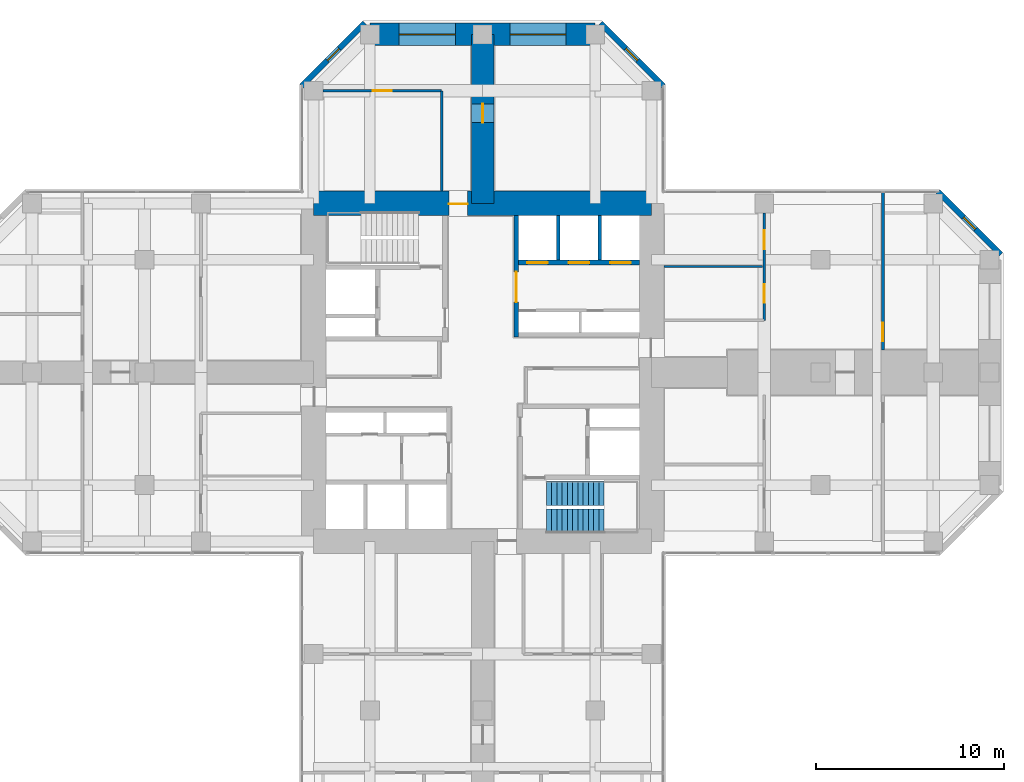
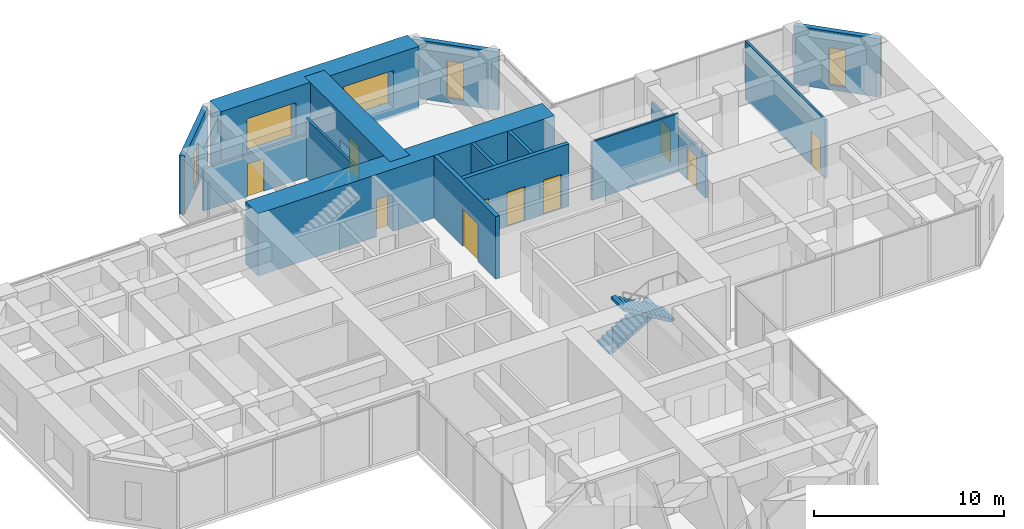
# One storey, part 11 of 13: 15 walls, 10 doors, 5 windows, 2 stair flights, 15 openings, 1 element without a shape of its own.
"""IFC4 building model written with IfcOpenShell, lengths in metres."""

import ifcopenshell
import ifcopenshell.guid

model = None  # the IFC model being written
_history = None  # IfcOwnerHistory: only IFC2X3 demands one
_inside = {}  # id of a spatial element -> (the spatial element, [elements in it])
_under = {}  # id of a project, library or spatial element -> (it, [spatial elements below it])
_declared = {}  # id of a project -> (the project, [libraries it declares])
_typed = {}  # id of a type object -> (the type object, [elements of that type])
_made_of = {}  # id of a material, layer set ... -> (it, [elements and type objects made of it])


def new_model(schema):
    """Start an empty IFC model of exactly this schema.

    Asked for "IFC4X3", IfcOpenShell would pick the latest addendum, in which some entities
    have other attributes; the version numbers below select the first issue.
    IFC2X3 requires an IfcOwnerHistory on every rooted entity: one is made here for all.
    """
    global model, _history
    if schema == "IFC4X3":
        model = ifcopenshell.file(schema_version=(4, 3, 0, 0))
    else:
        model = ifcopenshell.file(schema=schema)
    _inside.clear()
    _under.clear()
    _declared.clear()
    _typed.clear()
    _made_of.clear()
    _history = None
    if model.schema == "IFC2X3":
        org = make("IfcOrganization", Name="unknown")
        user = make(
            "IfcPersonAndOrganization",
            ThePerson=make("IfcPerson", FamilyName="unknown"),
            TheOrganization=org,
        )
        app = make(
            "IfcApplication",
            ApplicationDeveloper=org,
            Version="unknown",
            ApplicationFullName="unknown",
            ApplicationIdentifier="unknown",
        )
        _history = make(
            "IfcOwnerHistory",
            OwningUser=user,
            OwningApplication=app,
            ChangeAction="ADDED",
            CreationDate=0,
        )
    return model


def make(cls, **values):
    """One entity of the class cls with the attributes given. An attribute that is None is left unset."""
    return model.create_entity(
        cls, **{name: value for name, value in values.items() if value is not None}
    )


def rooted(cls, **values):
    """An entity with a GlobalId (a new one), such as an element, a storey or a relation."""
    return make(cls, GlobalId=ifcopenshell.guid.new(), OwnerHistory=_history, **values)


def si_unit(unit_type, name, prefix=None):
    """IfcSIUnit, for example si_unit("LENGTHUNIT", "METRE", prefix="MILLI")."""
    return make("IfcSIUnit", UnitType=unit_type, Prefix=prefix, Name=name)


def assignment(units):
    """IfcUnitAssignment: the units of a project."""
    return None if units is None else make("IfcUnitAssignment", Units=units)


def point(xyz):
    """IfcCartesianPoint."""
    return None if xyz is None else make("IfcCartesianPoint", Coordinates=xyz)


def direction(xyz):
    """IfcDirection."""
    return None if xyz is None else make("IfcDirection", DirectionRatios=xyz)


def frame(location, z_axis=None, x_axis=None):
    """IfcAxis2Placement3D, a coordinate frame: its origin and axes. An axis left out is left unset."""
    return make(
        "IfcAxis2Placement3D",
        Location=point(location),
        Axis=direction(z_axis),
        RefDirection=direction(x_axis),
    )


def frame_2d(location, x_axis=None):
    """IfcAxis2Placement2D, a coordinate frame in the plane: its origin and x axis."""
    return make(
        "IfcAxis2Placement2D", Location=point(location), RefDirection=direction(x_axis)
    )


def origin():
    """The frame at (0, 0, 0) with its axes left unset."""
    return frame((0.0, 0.0, 0.0))


def place(relative_to, where):
    """IfcLocalPlacement: puts the frame where relative to a parent placement (None: the world)."""
    return make(
        "IfcLocalPlacement", PlacementRelTo=relative_to, RelativePlacement=where
    )


def context(
    kind, dimensions, precision=None, world=None, true_north=None, identifier=None
):
    """IfcGeometricRepresentationContext, for example the 3D "Model" context."""
    return make(
        "IfcGeometricRepresentationContext",
        ContextIdentifier=identifier,
        ContextType=kind,
        CoordinateSpaceDimension=dimensions,
        Precision=precision,
        WorldCoordinateSystem=world,
        TrueNorth=true_north,
    )


def subcontext(parent, identifier, kind, view, scale=None):
    """IfcGeometricRepresentationSubContext, for example "Body" below "Model"."""
    return make(
        "IfcGeometricRepresentationSubContext",
        ContextIdentifier=identifier,
        ContextType=kind,
        ParentContext=parent,
        TargetScale=scale,
        TargetView=view,
    )


def project(units=None, contexts=None):
    """IfcProject with its units and contexts."""
    return rooted(
        "IfcProject",
        Name="project",
        RepresentationContexts=contexts,
        UnitsInContext=assignment(units),
    )


def spatial(cls, under=None, at=None, **own):
    """A site, building, storey or space (cls), placed at a placement, below another one or the project."""
    s = rooted(cls, ObjectPlacement=at, **own)
    if under is not None:
        _under.setdefault(under.id(), (under, []))[1].append(s)
    return s


def polyline(points):
    """IfcPolyline through the points."""
    return make("IfcPolyline", Points=[point(p) for p in points])


def profile(cls, at=None, kind="AREA", **sizes):
    """A parametric profile (cls). Its sizes go by their IFC names, for example OverallWidth=200.0."""
    return make(cls, ProfileType=kind, Position=at, **sizes)


def rectangle(**sizes):
    """IfcRectangleProfileDef."""
    return profile("IfcRectangleProfileDef", **sizes)


def hollow_rectangle(**sizes):
    """IfcRectangleHollowProfileDef."""
    return profile("IfcRectangleHollowProfileDef", **sizes)


def outline(outer, holes=None, kind="AREA"):
    """IfcArbitraryClosedProfileDef: a profile drawn as a closed curve; with holes, ...WithVoids."""
    if holes is None:
        return make("IfcArbitraryClosedProfileDef", ProfileType=kind, OuterCurve=outer)
    return make(
        "IfcArbitraryProfileDefWithVoids",
        ProfileType=kind,
        OuterCurve=outer,
        InnerCurves=holes,
    )


def extrude(swept, where, along, depth):
    """IfcExtrudedAreaSolid: the profile swept, set in the frame where, extruded along a direction by depth."""
    return make(
        "IfcExtrudedAreaSolid",
        SweptArea=swept,
        Position=where,
        ExtrudedDirection=direction(along),
        Depth=depth,
    )


def shape(context_of_items, identifier, shape_type, items):
    """IfcShapeRepresentation: the items that make up one representation, for example the "Body"."""
    return make(
        "IfcShapeRepresentation",
        ContextOfItems=context_of_items,
        RepresentationIdentifier=identifier,
        RepresentationType=shape_type,
        Items=items,
    )


def material(Name=None, Category=None):
    """IfcMaterial."""
    return make("IfcMaterial", Name=Name, Category=Category)


def layer(
    of_material, thickness, ventilated=None, Name=None, Category=None, Priority=None
):
    """IfcMaterialLayer: one layer of a wall or slab, of a material (None: an air gap)."""
    return make(
        "IfcMaterialLayer",
        Material=of_material,
        LayerThickness=thickness,
        IsVentilated=ventilated,
        Name=Name,
        Category=Category,
        Priority=Priority,
    )


def layer_set(layers, Name=None):
    """IfcMaterialLayerSet."""
    return make("IfcMaterialLayerSet", MaterialLayers=layers, LayerSetName=Name)


def constituent(of_material, Name=None, Category=None, fraction=None):
    """IfcMaterialConstituent: one of the materials an element consists of."""
    return make(
        "IfcMaterialConstituent",
        Name=Name,
        Material=of_material,
        Fraction=fraction,
        Category=Category,
    )


def constituent_set(constituents=None, Name=None):
    """IfcMaterialConstituentSet."""
    return make(
        "IfcMaterialConstituentSet", Name=Name, MaterialConstituents=constituents
    )


def made_of(thing, what):
    """Note that an element or type object is made of a material, layer set ...; save() writes the relation."""
    if what is not None:
        _made_of.setdefault(what.id(), (what, []))[1].append(thing)
    return thing


def type_object(cls, material=None, **own):
    """A type object (cls), such as IfcWallType, which elements share."""
    return made_of(rooted(cls, **own), material)


def element(
    cls,
    number,
    at=None,
    inside=None,
    cuts=None,
    type_object=None,
    material=None,
    context=None,
    identifier="Body",
    shape_type=None,
    held_by="IfcProductDefinitionShape",
    body=None,
    shapes=None,
    **own,
):
    """One element of the class cls, such as IfcWall. Its Tag is "e" and its number.

    at: its placement. inside: the storey or other place that contains it. cuts: it is an
    opening in that element (IfcRelVoidsElement). A single representation is given by context,
    identifier, shape_type and body (its items); several are given by shapes. held_by: the class
    of the entity that holds the representations. save() writes the other relations.
    """
    e = rooted(cls, Tag="e%d" % number, ObjectPlacement=at, **own)
    if body is not None:
        shapes = [shape(context, identifier, shape_type, body)]
    if shapes is not None:
        e.Representation = make(held_by, Representations=shapes)
    if inside is not None:
        _inside.setdefault(inside.id(), (inside, []))[1].append(e)
    if cuts is not None:
        rooted(
            "IfcRelVoidsElement", RelatingBuildingElement=cuts, RelatedOpeningElement=e
        )
    if type_object is not None:
        _typed.setdefault(type_object.id(), (type_object, []))[1].append(e)
    return made_of(e, material)


def fill(opening, filler):
    """IfcRelFillsElement: the door or window that sits in an opening."""
    return rooted(
        "IfcRelFillsElement",
        RelatingOpeningElement=opening,
        RelatedBuildingElement=filler,
    )


def aggregate(whole, parts):
    """IfcRelAggregates: a whole, such as a stair, and the parts it consists of."""
    return rooted("IfcRelAggregates", RelatingObject=whole, RelatedObjects=parts)


def save(model, path):
    """Write the relations noted so far, then the file.

    IfcRelAggregates (storeys below a building ...), IfcRelContainedInSpatialStructure (elements
    in a storey), IfcRelDefinesByType, IfcRelAssociatesMaterial and IfcRelDeclares: one each for
    every whole, place, type object, material and project.
    """
    for whole, parts in _under.values():
        aggregate(whole, parts)
    for where, things in _inside.values():
        rooted(
            "IfcRelContainedInSpatialStructure",
            RelatedElements=things,
            RelatingStructure=where,
        )
    for kind, things in _typed.values():
        rooted("IfcRelDefinesByType", RelatedObjects=things, RelatingType=kind)
    for what, things in _made_of.values():
        rooted("IfcRelAssociatesMaterial", RelatedObjects=things, RelatingMaterial=what)
    for by, libraries in _declared.values():
        rooted("IfcRelDeclares", RelatingContext=by, RelatedDefinitions=libraries)
    model.write(path)


model = new_model("IFC4")

# Units and contexts
model_context = context("Model", 3, precision=1e-05, world=origin(), true_north=direction((0.0, 1.0)))
body_context = subcontext(model_context, "Body", "Model", "MODEL_VIEW")
ifc_project = project(units=[si_unit("LENGTHUNIT", "METRE"), si_unit("AREAUNIT", "SQUARE_METRE"), si_unit("VOLUMEUNIT", "CUBIC_METRE"), si_unit("PLANEANGLEUNIT", "RADIAN"), si_unit("MASSUNIT", "GRAM", prefix="KILO")], contexts=[model_context])

# Site, building, storey
site_placement = place(None, origin())
site = spatial("IfcSite", under=ifc_project, at=site_placement, CompositionType="ELEMENT")
building_placement = place(site_placement, origin())
building = spatial("IfcBuilding", under=site, at=building_placement, Name="Torre Cruceta", CompositionType="ELEMENT")
storey_placement = place(building_placement, frame((0.0, 0.0, 160.5)))
storey = spatial("IfcBuildingStorey", under=building, at=storey_placement, Name="L39", CompositionType="ELEMENT", Elevation=160.5)

# Wall, opening, door
ifc_material_1 = material(Name="Concrete G60 (fck 60 MPa)", Category="concrete")
ifc_layer_1 = layer(ifc_material_1, 0.25)
ifc_layer_set_1 = layer_set([ifc_layer_1], Name="Concrete G60 (fck 60 MPa)")
wall_type_1 = type_object("IfcWallType", Name="CORE INNER WALL 250 G60", PredefinedType="SHEAR", material=ifc_layer_set_1)
wall_1_placement = place(storey_placement, frame((1.800048828125, 1.875, 0.0), z_axis=(0.0, 0.0, 1.0), x_axis=(0.0, 1.0, 0.0)))
wall_1 = element("IfcWall", 1, at=wall_1_placement, inside=storey, type_object=wall_type_1, Name="CW4 L39 NE-CU", PredefinedType="SHEAR", context=body_context, shape_type="SweptSolid", body=[
    extrude(rectangle(XDim=6.47509765625, YDim=0.25, at=frame_2d((3.237548828125, 0.0))), origin(), (0.0, 0.0, 1.0), 4.0),
])
opening_1_placement = place(wall_1_placement, frame((1.875, 0.0, 0.0)))
opening_1 = element("IfcOpeningElement", 2, at=opening_1_placement, cuts=wall_1, Name="Opening D8", PredefinedType="OPENING", context=body_context, shape_type="SweptSolid", body=[
    extrude(rectangle(XDim=1.60009765625, YDim=2.39990234375, at=frame_2d((0.800048828125, 1.199951171875))), frame((0.0, 0.135009765625, 0.0), z_axis=(0.0, -1.0, 0.0), x_axis=(1.0, 0.0, 0.0)), (0.0, 0.0, 1.0), 0.27001953125),
])
ifc_material_2 = material(Name="Steel DX51D", Category="steel")
ifc_constituent_1 = constituent(ifc_material_2, Name="Leaf and frame")
ifc_material_3 = material(Name="Polyester powder coating", Category="paint")
ifc_constituent_2 = constituent(ifc_material_3, Name="Finish")
ifc_material_4 = material(Name="Fire-resisting glass", Category="glass")
ifc_constituent_3 = constituent(ifc_material_4, Name="Vision panel")
ifc_constituent_set_1 = constituent_set(constituents=[ifc_constituent_1, ifc_constituent_2, ifc_constituent_3], Name="Steel fire door with vision panels")
door_type_1 = type_object("IfcDoorType", Name="LIFT LOBBY DOUBLE DOOR 1600X2400", OperationType="DOUBLE_DOOR_DOUBLE_SWING", PredefinedType="DOOR", material=ifc_constituent_set_1)
door_1_placement = place(opening_1_placement, origin())
door_1 = element("IfcDoor", 3, at=door_1_placement, inside=storey, type_object=door_type_1, Name="D8 L39 NE-LOBBY", OperationType="DOUBLE_DOOR_DOUBLE_SWING", OverallHeight=2.39990234375, OverallWidth=1.60009765625, PredefinedType="DOOR", context=body_context, shape_type="SweptSolid", body=[
    extrude(rectangle(XDim=1.60009765625, YDim=2.39990234375, at=frame_2d((0.800048828125, 1.199951171875))), frame((0.0, 0.02490234375, 0.0), z_axis=(0.0, -1.0, 0.0), x_axis=(1.0, 0.0, 0.0)), (0.0, 0.0, 1.0), 0.050048828125),
])
fill(opening_1, door_1)

# Wall, openings, doors
wall_2_placement = place(storey_placement, frame((1.925048828125, 5.85009765625, 0.0), z_axis=(0.0, 0.0, 1.0), x_axis=(1.0, 0.0, 0.0)))
wall_2 = element("IfcWall", 4, at=wall_2_placement, inside=storey, type_object=wall_type_1, Name="CW4 L39 NE-LV", PredefinedType="SHEAR", context=body_context, shape_type="SweptSolid", body=[
    extrude(rectangle(XDim=6.425048828125, YDim=0.25, at=frame_2d((3.21240234375, 0.0))), origin(), (0.0, 0.0, 1.0), 4.0),
])
opening_2_placement = place(wall_2_placement, frame((0.4541015625, 0.0, 0.0)))
opening_2 = element("IfcOpeningElement", 5, at=opening_2_placement, cuts=wall_2, Name="Opening LD1", PredefinedType="OPENING", context=body_context, shape_type="SweptSolid", body=[
    extrude(rectangle(XDim=1.10009765625, YDim=2.199951171875, at=frame_2d((0.550048828125, 1.10009765625))), frame((0.0, 0.135009765625, 0.0), z_axis=(0.0, -1.0, 0.0), x_axis=(1.0, 0.0, 0.0)), (0.0, 0.0, 1.0), 0.27001953125),
])
opening_3_placement = place(wall_2_placement, frame((2.66259765625, 0.0, 0.0)))
opening_3 = element("IfcOpeningElement", 6, at=opening_3_placement, cuts=wall_2, Name="Opening LD1", PredefinedType="OPENING", context=body_context, shape_type="SweptSolid", body=[
    extrude(rectangle(XDim=1.10009765625, YDim=2.199951171875, at=frame_2d((0.550048828125, 1.10009765625))), frame((0.0, 0.135009765625, 0.0), z_axis=(0.0, -1.0, 0.0), x_axis=(1.0, 0.0, 0.0)), (0.0, 0.0, 1.0), 0.27001953125),
])
opening_4_placement = place(wall_2_placement, frame((4.870849609375, 0.0, 0.0)))
opening_4 = element("IfcOpeningElement", 7, at=opening_4_placement, cuts=wall_2, Name="Opening LD1", PredefinedType="OPENING", context=body_context, shape_type="SweptSolid", body=[
    extrude(rectangle(XDim=1.10009765625, YDim=2.199951171875, at=frame_2d((0.550048828125, 1.10009765625))), frame((0.0, 0.135009765625, 0.0), z_axis=(0.0, -1.0, 0.0), x_axis=(1.0, 0.0, 0.0)), (0.0, 0.0, 1.0), 0.27001953125),
])
ifc_material_5 = material(Name="Stainless steel 1.4401", Category="steel")
door_type_2 = type_object("IfcDoorType", Name="LIFT LANDING DOOR 1100X2200", OperationType="DOUBLE_DOOR_SLIDING", PredefinedType="DOOR", material=ifc_material_5)
door_2_placement = place(opening_2_placement, origin())
door_2 = element("IfcDoor", 8, at=door_2_placement, inside=storey, type_object=door_type_2, Name="Lift landing door P1", OperationType="DOUBLE_DOOR_SLIDING", OverallHeight=2.199951171875, OverallWidth=1.10009765625, PredefinedType="DOOR", context=body_context, shape_type="SweptSolid", body=[
    extrude(rectangle(XDim=1.10009765625, YDim=2.199951171875, at=frame_2d((0.550048828125, 1.10009765625))), frame((0.0, 0.02490234375, 0.0), z_axis=(0.0, -1.0, 0.0), x_axis=(1.0, 0.0, 0.0)), (0.0, 0.0, 1.0), 0.050048828125),
])
fill(opening_2, door_2)
door_3_placement = place(opening_3_placement, origin())
door_3 = element("IfcDoor", 9, at=door_3_placement, inside=storey, type_object=door_type_2, Name="Lift landing door P2", OperationType="DOUBLE_DOOR_SLIDING", OverallHeight=2.199951171875, OverallWidth=1.10009765625, PredefinedType="DOOR", context=body_context, shape_type="SweptSolid", body=[
    extrude(rectangle(XDim=1.10009765625, YDim=2.199951171875, at=frame_2d((0.550048828125, 1.10009765625))), frame((0.0, 0.02490234375, 0.0), z_axis=(0.0, -1.0, 0.0), x_axis=(1.0, 0.0, 0.0)), (0.0, 0.0, 1.0), 0.050048828125),
])
fill(opening_3, door_3)
door_4_placement = place(opening_4_placement, origin())
door_4 = element("IfcDoor", 10, at=door_4_placement, inside=storey, type_object=door_type_2, Name="Lift landing door P3", OperationType="DOUBLE_DOOR_SLIDING", OverallHeight=2.199951171875, OverallWidth=1.10009765625, PredefinedType="DOOR", context=body_context, shape_type="SweptSolid", body=[
    extrude(rectangle(XDim=1.10009765625, YDim=2.199951171875, at=frame_2d((0.550048828125, 1.10009765625))), frame((0.0, 0.02490234375, 0.0), z_axis=(0.0, -1.0, 0.0), x_axis=(1.0, 0.0, 0.0)), (0.0, 0.0, 1.0), 0.050048828125),
])
fill(opening_4, door_4)

# Wall, opening, door
ifc_material_6 = material(Name="Concrete G60 (fck 60 MPa)", Category="concrete")
ifc_layer_2 = layer(ifc_material_6, 1.300048828125)
ifc_layer_set_2 = layer_set([ifc_layer_2], Name="Concrete G60 (fck 60 MPa)")
wall_type_2 = type_object("IfcWallType", Name="CORE WALL 1300 G60", PredefinedType="SHEAR", material=ifc_layer_set_2)
wall_3_placement = place(storey_placement, frame((9.0, 9.0, 0.0), z_axis=(0.0, 0.0, 1.0), x_axis=(-1.0, 0.0, 0.0)))
wall_3 = element("IfcWall", 11, at=wall_3_placement, inside=storey, type_object=wall_type_2, Name="CW1 L39 CW-N", PredefinedType="SHEAR", context=body_context, shape_type="SweptSolid", body=[
    extrude(rectangle(XDim=18.0, YDim=1.300048828125, at=frame_2d((9.0, 0.0))), origin(), (0.0, 0.0, 1.0), 4.0),
])
opening_5_placement = place(wall_3_placement, frame((9.800048828125, 0.0, 0.0)))
opening_5 = element("IfcOpeningElement", 12, at=opening_5_placement, cuts=wall_3, Name="Opening D4", PredefinedType="OPENING", context=body_context, shape_type="SweptSolid", body=[
    extrude(rectangle(XDim=1.0, YDim=2.39990234375, at=frame_2d((0.5, 1.199951171875))), frame((0.0, 0.659912109375, 0.0), z_axis=(0.0, -1.0, 0.0), x_axis=(1.0, 0.0, 0.0)), (0.0, 0.0, 1.0), 1.320068359375),
])
ifc_material_7 = material(Name="Steel DX51D", Category="steel")
ifc_constituent_4 = constituent(ifc_material_7, Name="Leaf and frame")
ifc_material_8 = material(Name="Polyester powder coating", Category="paint")
ifc_constituent_5 = constituent(ifc_material_8, Name="Finish")
ifc_constituent_set_2 = constituent_set(constituents=[ifc_constituent_4, ifc_constituent_5], Name="Steel fire door")
door_type_3 = type_object("IfcDoorType", Name="CORE ARM DOOR 1000X2400", OperationType="SINGLE_SWING_RIGHT", PredefinedType="DOOR", material=ifc_constituent_set_2)
door_5_placement = place(opening_5_placement, frame((1.0, 0.0, 0.0), z_axis=(0.0, 0.0, 1.0), x_axis=(-1.0, 0.0, 0.0)))
door_5 = element("IfcDoor", 13, at=door_5_placement, inside=storey, type_object=door_type_3, Name="D4 L39 CW-N", OperationType="SINGLE_SWING_RIGHT", OverallHeight=2.39990234375, OverallWidth=1.0, PredefinedType="DOOR", context=body_context, shape_type="SweptSolid", body=[
    extrude(rectangle(XDim=1.0, YDim=2.39990234375, at=frame_2d((0.5, 1.199951171875))), frame((0.0, -0.005126953125, 0.0), z_axis=(0.0, -1.0, 0.0), x_axis=(1.0, 0.0, 0.0)), (0.0, 0.0, 1.0), 0.050048828125),
])
fill(opening_5, door_5)

# Wall, opening, window
ifc_material_9 = material(Name="Concrete G30 (fck 30 MPa)", Category="concrete")
ifc_layer_3 = layer(ifc_material_9, 0.300048828125)
ifc_layer_set_3 = layer_set([ifc_layer_3], Name="Concrete G30 (fck 30 MPa)")
wall_type_3 = type_object("IfcWallType", Name="EXPOSED CONCRETE FACADE WALL 300", PredefinedType="SOLIDWALL", material=ifc_layer_set_3)
wall_4_placement = place(storey_placement, frame((27.60009765625, 6.27685546875, 0.0), z_axis=(0.0, 0.0, 1.0), x_axis=(-0.707106781187, 0.707106781187, 0.0)))
wall_4 = element("IfcWall", 14, at=wall_4_placement, inside=storey, type_object=wall_type_3, Name="EW1 facade wall L39 E chamfer 03", PredefinedType="SOLIDWALL", context=body_context, shape_type="SweptSolid", body=[
    extrude(rectangle(XDim=4.72802734375, YDim=0.300048828125, at=frame_2d((2.364013671875, 0.0))), origin(), (0.0, 0.0, 1.0), 3.75),
])
opening_6_placement = place(wall_4_placement, frame((1.9140625, 0.0, 0.300048828125)))
opening_6 = element("IfcOpeningElement", 15, at=opening_6_placement, cuts=wall_4, Name="Opening WN5", PredefinedType="OPENING", context=body_context, shape_type="SweptSolid", body=[
    extrude(rectangle(XDim=0.89990234375, YDim=2.39990234375, at=frame_2d((0.449951171875, 1.199951171875))), frame((0.0, 0.159912109375, 0.0), z_axis=(0.0, -1.0, 0.0), x_axis=(1.0, 0.0, 0.0)), (0.0, 0.0, 1.0), 0.320068359375),
])
ifc_material_10 = material(Name="Aluminium window frame", Category="aluminium")
ifc_constituent_6 = constituent(ifc_material_10, Name="Frame")
ifc_material_11 = material(Name="Laminated insulating glass unit, low-iron clear", Category="glass")
ifc_constituent_7 = constituent(ifc_material_11, Name="Glazing")
ifc_constituent_set_3 = constituent_set(constituents=[ifc_constituent_6, ifc_constituent_7], Name="Aluminium window")
window_type_1 = type_object("IfcWindowType", Name="CHAMFER SLOT WINDOW 900X2400", PartitioningType="SINGLE_PANEL", PredefinedType="WINDOW", material=ifc_constituent_set_3)
window_1_placement = place(opening_6_placement, origin())
window_1 = element("IfcWindow", 16, at=window_1_placement, inside=storey, type_object=window_type_1, Name="WN5 L39 E 1", OverallHeight=2.39990234375, OverallWidth=0.89990234375, PartitioningType="SINGLE_PANEL", PredefinedType="WINDOW", context=body_context, shape_type="SweptSolid", body=[
    extrude(hollow_rectangle(XDim=0.89990234375, YDim=2.39990234375, WallThickness=0.06005859375, at=frame_2d((0.449951171875, 1.199951171875))), frame((0.0, 0.030029296875, 0.0), z_axis=(0.0, -1.0, 0.0), x_axis=(1.0, 0.0, 0.0)), (0.0, 0.0, 1.0), 0.06005859375),
    extrude(rectangle(XDim=0.77880859375, YDim=2.27880859375, at=frame_2d((0.449951171875, 1.199951171875))), frame((0.0, 0.030029296875, 0.0), z_axis=(0.0, -1.0, 0.0), x_axis=(1.0, 0.0, 0.0)), (0.0, 0.0, 1.0), 0.06005859375),
])
fill(opening_6, window_1)

wall_5_placement = place(storey_placement, frame((9.6201171875, 15.2568359375, 0.0), z_axis=(0.0, 0.0, 1.0), x_axis=(-0.707106781187, 0.707106781187, 0.0)))
wall_5 = element("IfcWall", 17, at=wall_5_placement, inside=storey, type_object=wall_type_3, Name="EW1 facade wall L39 N chamfer 06", PredefinedType="SOLIDWALL", context=body_context, shape_type="SweptSolid", body=[
    extrude(rectangle(XDim=4.72802734375, YDim=0.300048828125, at=frame_2d((2.364013671875, 0.0))), origin(), (0.0, 0.0, 1.0), 3.75),
])
opening_7_placement = place(wall_5_placement, frame((1.9140625, 0.0, 0.300048828125)))
opening_7 = element("IfcOpeningElement", 18, at=opening_7_placement, cuts=wall_5, Name="Opening WN5", PredefinedType="OPENING", context=body_context, shape_type="SweptSolid", body=[
    extrude(rectangle(XDim=0.89990234375, YDim=2.39990234375, at=frame_2d((0.449951171875, 1.199951171875))), frame((0.0, 0.159912109375, 0.0), z_axis=(0.0, -1.0, 0.0), x_axis=(1.0, 0.0, 0.0)), (0.0, 0.0, 1.0), 0.320068359375),
])
window_2_placement = place(opening_7_placement, origin())
window_2 = element("IfcWindow", 19, at=window_2_placement, inside=storey, type_object=window_type_1, Name="WN5 L39 N 1", OverallHeight=2.39990234375, OverallWidth=0.89990234375, PartitioningType="SINGLE_PANEL", PredefinedType="WINDOW", context=body_context, shape_type="SweptSolid", body=[
    extrude(hollow_rectangle(XDim=0.89990234375, YDim=2.39990234375, WallThickness=0.06005859375, at=frame_2d((0.449951171875, 1.199951171875))), frame((0.0, 0.030029296875, 0.0), z_axis=(0.0, -1.0, 0.0), x_axis=(1.0, 0.0, 0.0)), (0.0, 0.0, 1.0), 0.06005859375),
    extrude(rectangle(XDim=0.77880859375, YDim=2.27880859375, at=frame_2d((0.449951171875, 1.199951171875))), frame((0.0, 0.030029296875, 0.0), z_axis=(0.0, -1.0, 0.0), x_axis=(1.0, 0.0, 0.0)), (0.0, 0.0, 1.0), 0.06005859375),
])
fill(opening_7, window_2)

wall_6_placement = place(storey_placement, frame((-6.27685546875, 18.60009765625, 0.0), z_axis=(0.0, 0.0, 1.0), x_axis=(-0.707106781187, -0.707106781187, 0.0)))
wall_6 = element("IfcWall", 20, at=wall_6_placement, inside=storey, type_object=wall_type_3, Name="EW1 facade wall L39 N chamfer 08", PredefinedType="SOLIDWALL", context=body_context, shape_type="SweptSolid", body=[
    extrude(rectangle(XDim=4.72802734375, YDim=0.300048828125, at=frame_2d((2.364013671875, 0.0))), origin(), (0.0, 0.0, 1.0), 3.75),
])
opening_8_placement = place(wall_6_placement, frame((1.9140625, 0.0, 0.300048828125)))
opening_8 = element("IfcOpeningElement", 21, at=opening_8_placement, cuts=wall_6, Name="Opening WN5", PredefinedType="OPENING", context=body_context, shape_type="SweptSolid", body=[
    extrude(rectangle(XDim=0.89990234375, YDim=2.39990234375, at=frame_2d((0.449951171875, 1.199951171875))), frame((0.0, 0.159912109375, 0.0), z_axis=(0.0, -1.0, 0.0), x_axis=(1.0, 0.0, 0.0)), (0.0, 0.0, 1.0), 0.320068359375),
])
window_3_placement = place(opening_8_placement, origin())
window_3 = element("IfcWindow", 22, at=window_3_placement, inside=storey, type_object=window_type_1, Name="WN5 L39 N 1", OverallHeight=2.39990234375, OverallWidth=0.89990234375, PartitioningType="SINGLE_PANEL", PredefinedType="WINDOW", context=body_context, shape_type="SweptSolid", body=[
    extrude(hollow_rectangle(XDim=0.89990234375, YDim=2.39990234375, WallThickness=0.06005859375, at=frame_2d((0.449951171875, 1.199951171875))), frame((0.0, 0.030029296875, 0.0), z_axis=(0.0, -1.0, 0.0), x_axis=(1.0, 0.0, 0.0)), (0.0, 0.0, 1.0), 0.06005859375),
    extrude(rectangle(XDim=0.77880859375, YDim=2.27880859375, at=frame_2d((0.449951171875, 1.199951171875))), frame((0.0, 0.030029296875, 0.0), z_axis=(0.0, -1.0, 0.0), x_axis=(1.0, 0.0, 0.0)), (0.0, 0.0, 1.0), 0.06005859375),
])
fill(opening_8, window_3)

# Walls
ifc_material_12 = material(Name="Concrete G35 (fck 35 MPa)", Category="concrete")
ifc_layer_4 = layer(ifc_material_12, 0.199951171875)
ifc_layer_set_4 = layer_set([ifc_layer_4], Name="Concrete G35 (fck 35 MPa)")
wall_type_4 = type_object("IfcWallType", Name="LIFT SHAFT WALL 200", PredefinedType="PARTITIONING", material=ifc_layer_set_4)
for number, where, z_axis, x_axis, name in (
    (23, (4.033447265625, 5.97509765625, 0.0), (0.0, 0.0, 1.0), (0.0, 1.0, 0.0), "SW1 L39 NE-LS1"),
    (24, (6.24169921875, 5.97509765625, 0.0), (0.0, 0.0, 1.0), (0.0, 1.0, 0.0), "SW1 L39 NE-LS2"),
):
    element("IfcWall", number, at=place(storey_placement, frame(where, z_axis=z_axis, x_axis=x_axis)), inside=storey, type_object=wall_type_4, Name=name, PredefinedType="PARTITIONING", context=body_context, shape_type="SweptSolid", body=[
        extrude(rectangle(XDim=2.375, YDim=0.199951171875, at=frame_2d((1.1875, 0.0))), origin(), (0.0, 0.0, 1.0), 4.0),
    ])

# Wall, openings, windows
ifc_material_13 = material(Name="Concrete G60 (fck 60 MPa)", Category="concrete")
ifc_layer_5 = layer(ifc_material_13, 1.199951171875)
ifc_layer_set_5 = layer_set([ifc_layer_5], Name="Concrete G60 (fck 60 MPa)")
wall_type_5 = type_object("IfcWallType", Name="NOSE WALL 1200 G60", PredefinedType="SHEAR", material=ifc_layer_set_5)
wall_7_placement = place(storey_placement, frame((6.0, 18.0, 0.0), z_axis=(0.0, 0.0, 1.0), x_axis=(-1.0, 0.0, 0.0)))
wall_7 = element("IfcWall", 25, at=wall_7_placement, inside=storey, type_object=wall_type_5, Name="NW1 nose wall L39 N", PredefinedType="SHEAR", context=body_context, shape_type="SweptSolid", body=[
    extrude(rectangle(XDim=12.0, YDim=1.199951171875, at=frame_2d((6.0, 0.0))), origin(), (0.0, 0.0, 1.0), 4.0),
])
opening_9_placement = place(wall_7_placement, frame((1.550048828125, 0.0, 0.60009765625)))
opening_9 = element("IfcOpeningElement", 26, at=opening_9_placement, cuts=wall_7, Name="Opening WN6", PredefinedType="OPENING", context=body_context, shape_type="SweptSolid", body=[
    extrude(rectangle(XDim=3.0, YDim=2.39990234375, at=frame_2d((1.5, 1.199951171875))), frame((0.0, 0.60986328125, 0.0), z_axis=(0.0, -1.0, 0.0), x_axis=(1.0, 0.0, 0.0)), (0.0, 0.0, 1.0), 1.219970703125),
])
opening_10_placement = place(wall_7_placement, frame((7.449951171875, 0.0, 0.60009765625)))
opening_10 = element("IfcOpeningElement", 27, at=opening_10_placement, cuts=wall_7, Name="Opening WN6", PredefinedType="OPENING", context=body_context, shape_type="SweptSolid", body=[
    extrude(rectangle(XDim=3.0, YDim=2.39990234375, at=frame_2d((1.5, 1.199951171875))), frame((0.0, 0.60986328125, 0.0), z_axis=(0.0, -1.0, 0.0), x_axis=(1.0, 0.0, 0.0)), (0.0, 0.0, 1.0), 1.219970703125),
])
ifc_material_14 = material(Name="Aluminium window frame", Category="aluminium")
ifc_constituent_8 = constituent(ifc_material_14, Name="Frame")
ifc_material_15 = material(Name="Laminated insulating glass unit, low-iron clear", Category="glass")
ifc_constituent_9 = constituent(ifc_material_15, Name="Glazing")
ifc_constituent_set_4 = constituent_set(constituents=[ifc_constituent_8, ifc_constituent_9], Name="Aluminium window")
window_type_2 = type_object("IfcWindowType", Name="NOSE WALL WINDOW 3000X2400", PartitioningType="SINGLE_PANEL", PredefinedType="WINDOW", material=ifc_constituent_set_4)
window_4_placement = place(opening_9_placement, origin())
window_4 = element("IfcWindow", 28, at=window_4_placement, inside=storey, type_object=window_type_2, Name="WN6 L39 N 1", OverallHeight=2.39990234375, OverallWidth=3.0, PartitioningType="SINGLE_PANEL", PredefinedType="WINDOW", context=body_context, shape_type="SweptSolid", body=[
    extrude(hollow_rectangle(XDim=3.0, YDim=2.39990234375, WallThickness=0.06005859375, at=frame_2d((1.5, 1.199951171875))), frame((0.0, 0.030029296875, 0.0), z_axis=(0.0, -1.0, 0.0), x_axis=(1.0, 0.0, 0.0)), (0.0, 0.0, 1.0), 0.06005859375),
    extrude(rectangle(XDim=2.87890625, YDim=2.27880859375, at=frame_2d((1.5, 1.199951171875))), frame((0.0, 0.030029296875, 0.0), z_axis=(0.0, -1.0, 0.0), x_axis=(1.0, 0.0, 0.0)), (0.0, 0.0, 1.0), 0.06005859375),
])
fill(opening_9, window_4)
window_5_placement = place(opening_10_placement, origin())
window_5 = element("IfcWindow", 29, at=window_5_placement, inside=storey, type_object=window_type_2, Name="WN6 L39 N 2", OverallHeight=2.39990234375, OverallWidth=3.0, PartitioningType="SINGLE_PANEL", PredefinedType="WINDOW", context=body_context, shape_type="SweptSolid", body=[
    extrude(hollow_rectangle(XDim=3.0, YDim=2.39990234375, WallThickness=0.06005859375, at=frame_2d((1.5, 1.199951171875))), frame((0.0, 0.030029296875, 0.0), z_axis=(0.0, -1.0, 0.0), x_axis=(1.0, 0.0, 0.0)), (0.0, 0.0, 1.0), 0.06005859375),
    extrude(rectangle(XDim=2.87890625, YDim=2.27880859375, at=frame_2d((1.5, 1.199951171875))), frame((0.0, 0.030029296875, 0.0), z_axis=(0.0, -1.0, 0.0), x_axis=(1.0, 0.0, 0.0)), (0.0, 0.0, 1.0), 0.06005859375),
])
fill(opening_10, window_5)

# Wall, opening, door
ifc_material_16 = material(Name="Plasterboard on steel studs", Category="steel")
ifc_layer_6 = layer(ifc_material_16, 0.14990234375)
ifc_layer_set_6 = layer_set([ifc_layer_6], Name="Plasterboard on steel studs")
wall_type_6 = type_object("IfcWallType", Name="PARTITION 150", PredefinedType="PARTITIONING", material=ifc_layer_set_6)
wall_8_placement = place(storey_placement, frame((-2.175048828125, 15.0, 0.0), z_axis=(0.0, 0.0, 1.0), x_axis=(-1.0, 0.0, 0.0)))
wall_8 = element("IfcWall", 30, at=wall_8_placement, inside=storey, type_object=wall_type_6, Name="PT1 L39-N-BFL", PredefinedType="PARTITIONING", context=body_context, shape_type="SweptSolid", body=[
    extrude(rectangle(XDim=6.324951171875, YDim=0.14990234375, at=frame_2d((3.16259765625, 0.0))), origin(), (0.0, 0.0, 1.0), 2.699951171875),
])
opening_11_placement = place(wall_8_placement, frame((2.66259765625, 0.0, 0.0)))
opening_11 = element("IfcOpeningElement", 31, at=opening_11_placement, cuts=wall_8, Name="Opening D3", PredefinedType="OPENING", context=body_context, shape_type="SweptSolid", body=[
    extrude(rectangle(XDim=1.0, YDim=2.10009765625, at=frame_2d((0.5, 1.050048828125))), frame((0.0, 0.0849609375, 0.0), z_axis=(0.0, -1.0, 0.0), x_axis=(1.0, 0.0, 0.0)), (0.0, 0.0, 1.0), 0.169921875),
])
ifc_material_17 = material(Name="Steel DX51D", Category="steel")
ifc_constituent_10 = constituent(ifc_material_17, Name="Leaf and frame")
ifc_material_18 = material(Name="Polyester powder coating", Category="paint")
ifc_constituent_11 = constituent(ifc_material_18, Name="Finish")
ifc_constituent_set_5 = constituent_set(constituents=[ifc_constituent_10, ifc_constituent_11], Name="Steel fire door")
door_type_4 = type_object("IfcDoorType", Name="FIRE DOOR 1000X2100", OperationType="SINGLE_SWING_LEFT", PredefinedType="DOOR", material=ifc_constituent_set_5)
door_6_placement = place(opening_11_placement, frame((1.0, 0.0, 0.0), z_axis=(0.0, 0.0, 1.0), x_axis=(-1.0, 0.0, 0.0)))
door_6 = element("IfcDoor", 32, at=door_6_placement, inside=storey, type_object=door_type_4, Name="D3 L39-N-BFL-D1", OperationType="SINGLE_SWING_LEFT", OverallHeight=2.10009765625, OverallWidth=1.0, PredefinedType="DOOR", context=body_context, shape_type="SweptSolid", body=[
    extrude(rectangle(XDim=1.0, YDim=2.10009765625, at=frame_2d((0.5, 1.050048828125))), frame((0.0, 0.025146484375, 0.0), z_axis=(0.0, -1.0, 0.0), x_axis=(1.0, 0.0, 0.0)), (0.0, 0.0, 1.0), 0.050048828125),
])
fill(opening_11, door_6)

# Wall
wall_9_placement = place(storey_placement, frame((-2.175048828125, 9.64990234375, 0.0), z_axis=(0.0, 0.0, 1.0), x_axis=(0.0, 1.0, 0.0)))
element("IfcWall", 33, at=wall_9_placement, inside=storey, type_object=wall_type_6, Name="PT1 L39-N-BSL", PredefinedType="PARTITIONING", context=body_context, shape_type="SweptSolid", body=[
    extrude(rectangle(XDim=5.35009765625, YDim=0.14990234375, at=frame_2d((2.675048828125, 0.0))), origin(), (0.0, 0.0, 1.0), 3.75),
])

# Wall, openings, doors
wall_10_placement = place(storey_placement, frame((15.0, 2.77490234375, 0.0), z_axis=(0.0, 0.0, 1.0), x_axis=(0.0, 1.0, 0.0)))
wall_10 = element("IfcWall", 34, at=wall_10_placement, inside=storey, type_object=wall_type_6, Name="PT1 L39-E-BFL", PredefinedType="PARTITIONING", context=body_context, shape_type="SweptSolid", body=[
    extrude(rectangle(XDim=5.72509765625, YDim=0.14990234375, at=frame_2d((2.862548828125, 0.0))), origin(), (0.0, 0.0, 1.0), 2.699951171875),
])
opening_12_placement = place(wall_10_placement, frame((0.931396484375, 0.0, 0.0)))
opening_12 = element("IfcOpeningElement", 35, at=opening_12_placement, cuts=wall_10, Name="Opening D3", PredefinedType="OPENING", context=body_context, shape_type="SweptSolid", body=[
    extrude(rectangle(XDim=1.0, YDim=2.10009765625, at=frame_2d((0.5, 1.050048828125))), frame((0.0, 0.0849609375, 0.0), z_axis=(0.0, -1.0, 0.0), x_axis=(1.0, 0.0, 0.0)), (0.0, 0.0, 1.0), 0.169921875),
])
opening_13_placement = place(wall_10_placement, frame((3.793701171875, 0.0, 0.0)))
opening_13 = element("IfcOpeningElement", 36, at=opening_13_placement, cuts=wall_10, Name="Opening D3", PredefinedType="OPENING", context=body_context, shape_type="SweptSolid", body=[
    extrude(rectangle(XDim=1.0, YDim=2.10009765625, at=frame_2d((0.5, 1.050048828125))), frame((0.0, 0.0849609375, 0.0), z_axis=(0.0, -1.0, 0.0), x_axis=(1.0, 0.0, 0.0)), (0.0, 0.0, 1.0), 0.169921875),
])
door_7_placement = place(opening_12_placement, origin())
door_7 = element("IfcDoor", 37, at=door_7_placement, inside=storey, type_object=door_type_4, Name="D3 L39-E-BFL-D1", OperationType="SINGLE_SWING_LEFT", OverallHeight=2.10009765625, OverallWidth=1.0, PredefinedType="DOOR", context=body_context, shape_type="SweptSolid", body=[
    extrude(rectangle(XDim=1.0, YDim=2.10009765625, at=frame_2d((0.5, 1.050048828125))), frame((0.0, 0.02490234375, 0.0), z_axis=(0.0, -1.0, 0.0), x_axis=(1.0, 0.0, 0.0)), (0.0, 0.0, 1.0), 0.050048828125),
])
fill(opening_12, door_7)
door_8_placement = place(opening_13_placement, origin())
door_8 = element("IfcDoor", 38, at=door_8_placement, inside=storey, type_object=door_type_4, Name="D3 L39-E-BFL-D2", OperationType="SINGLE_SWING_LEFT", OverallHeight=2.10009765625, OverallWidth=1.0, PredefinedType="DOOR", context=body_context, shape_type="SweptSolid", body=[
    extrude(rectangle(XDim=1.0, YDim=2.10009765625, at=frame_2d((0.5, 1.050048828125))), frame((0.0, 0.02490234375, 0.0), z_axis=(0.0, -1.0, 0.0), x_axis=(1.0, 0.0, 0.0)), (0.0, 0.0, 1.0), 0.050048828125),
])
fill(opening_13, door_8)

# Wall, opening, door
wall_11_placement = place(storey_placement, frame((21.320068359375, 1.199951171875, 0.0), z_axis=(0.0, 0.0, 1.0), x_axis=(0.0, 1.0, 0.0)))
wall_11 = element("IfcWall", 39, at=wall_11_placement, inside=storey, type_object=wall_type_6, Name="PT1 L39-E-TWL", PredefinedType="PARTITIONING", context=body_context, shape_type="SweptSolid", body=[
    extrude(rectangle(XDim=8.380126953125, YDim=0.14990234375, at=frame_2d((4.18994140625, 0.0))), origin(), (0.0, 0.0, 1.0), 3.75),
])
opening_14_placement = place(wall_11_placement, frame((0.449951171875, 0.0, 0.0)))
opening_14 = element("IfcOpeningElement", 40, at=opening_14_placement, cuts=wall_11, Name="Opening D14", PredefinedType="OPENING", context=body_context, shape_type="SweptSolid", body=[
    extrude(rectangle(XDim=1.0, YDim=2.199951171875, at=frame_2d((0.5, 1.10009765625))), frame((0.0, 0.0849609375, 0.0), z_axis=(0.0, -1.0, 0.0), x_axis=(1.0, 0.0, 0.0)), (0.0, 0.0, 1.0), 0.169921875),
])
ifc_material_19 = material(Name="Steel DX51D", Category="steel")
ifc_constituent_12 = constituent(ifc_material_19, Name="Leaf and frame")
ifc_material_20 = material(Name="Polyester powder coating", Category="paint")
ifc_constituent_13 = constituent(ifc_material_20, Name="Finish")
ifc_material_21 = material(Name="Fire-resisting glass", Category="glass")
ifc_constituent_14 = constituent(ifc_material_21, Name="Vision panel")
ifc_constituent_set_6 = constituent_set(constituents=[ifc_constituent_12, ifc_constituent_13, ifc_constituent_14], Name="Steel fire door with vision panel")
door_type_5 = type_object("IfcDoorType", Name="FIRE DOOR VISION PANEL 1000X2200", OperationType="SINGLE_SWING_RIGHT", PredefinedType="DOOR", material=ifc_constituent_set_6)
door_9_placement = place(opening_14_placement, frame((1.0, 0.0, 0.0), z_axis=(0.0, 0.0, 1.0), x_axis=(-1.0, 0.0, 0.0)))
door_9 = element("IfcDoor", 41, at=door_9_placement, inside=storey, type_object=door_type_5, Name="D14 L39-E-TWL-D1", OperationType="SINGLE_SWING_RIGHT", OverallHeight=2.199951171875, OverallWidth=1.0, PredefinedType="DOOR", context=body_context, shape_type="SweptSolid", body=[
    extrude(rectangle(XDim=1.0, YDim=2.199951171875, at=frame_2d((0.5, 1.10009765625))), frame((0.0, 0.025146484375, 0.0), z_axis=(0.0, -1.0, 0.0), x_axis=(1.0, 0.0, 0.0)), (0.0, 0.0, 1.0), 0.050048828125),
])
fill(opening_14, door_9)

ifc_material_22 = material(Name="Concrete G60 (fck 60 MPa)", Category="concrete")
ifc_layer_7 = layer(ifc_material_22, 1.199951171875)
ifc_layer_set_7 = layer_set([ifc_layer_7], Name="Concrete G60 (fck 60 MPa)")
wall_type_7 = type_object("IfcWallType", Name="SPINE WALL 1200 G60", PredefinedType="SHEAR", material=ifc_layer_set_7)
wall_12_placement = place(storey_placement, frame((0.0, 9.0, 0.0), z_axis=(0.0, 0.0, 1.0), x_axis=(0.0, 1.0, 0.0)))
wall_12 = element("IfcWall", 42, at=wall_12_placement, inside=storey, type_object=wall_type_7, Name="SW3 spine wall L39 N", PredefinedType="SHEAR", context=body_context, shape_type="SweptSolid", body=[
    extrude(rectangle(XDim=9.0, YDim=1.199951171875, at=frame_2d((4.5, 0.0))), origin(), (0.0, 0.0, 1.0), 4.0),
])
opening_15_placement = place(wall_12_placement, frame((4.300048828125, 0.0, 0.0)))
opening_15 = element("IfcOpeningElement", 43, at=opening_15_placement, cuts=wall_12, Name="Opening D14", PredefinedType="OPENING", context=body_context, shape_type="SweptSolid", body=[
    extrude(rectangle(XDim=1.0, YDim=2.199951171875, at=frame_2d((0.5, 1.10009765625))), frame((0.0, 0.60986328125, 0.0), z_axis=(0.0, -1.0, 0.0), x_axis=(1.0, 0.0, 0.0)), (0.0, 0.0, 1.0), 1.219970703125),
])
door_10_placement = place(opening_15_placement, origin())
door_10 = element("IfcDoor", 44, at=door_10_placement, inside=storey, type_object=door_type_5, Name="D14 L39-N-SP1", OperationType="SINGLE_SWING_RIGHT", OverallHeight=2.199951171875, OverallWidth=1.0, PredefinedType="DOOR", context=body_context, shape_type="SweptSolid", body=[
    extrude(rectangle(XDim=1.0, YDim=2.199951171875, at=frame_2d((0.5, 1.10009765625))), frame((0.0, 0.02490234375, 0.0), z_axis=(0.0, -1.0, 0.0), x_axis=(1.0, 0.0, 0.0)), (0.0, 0.0, 1.0), 0.050048828125),
])
fill(opening_15, door_10)

# Wall
ifc_material_23 = material(Name="Plasterboard on steel studs", Category="steel")
ifc_layer_8 = layer(ifc_material_23, 0.1201171875)
ifc_layer_set_8 = layer_set([ifc_layer_8], Name="Plasterboard on steel studs")
wall_type_8 = type_object("IfcWallType", Name="WC PARTITION 120", PredefinedType="PLUMBINGWALL", material=ifc_layer_set_8)
wall_13_placement = place(storey_placement, frame((9.64990234375, 5.637451171875, 0.0), z_axis=(0.0, 0.0, 1.0), x_axis=(1.0, 0.0, 0.0)))
element("IfcWall", 45, at=wall_13_placement, inside=storey, type_object=wall_type_8, Name="PT5 L39-E-BDL1", PredefinedType="PLUMBINGWALL", context=body_context, shape_type="SweptSolid", body=[
    extrude(rectangle(XDim=5.25, YDim=0.1201171875, at=frame_2d((2.625, 0.0))), origin(), (0.0, 0.0, 1.0), 3.75),
])

# Stair, stair flights
ifc_material_24 = material(Name="Concrete G30 (fck 30 MPa)", Category="concrete")
stair_type = type_object("IfcStairType", Name="STAIR HALF-TURN 1300", PredefinedType="HALF_TURN_STAIR", material=ifc_material_24)
stair_placement = place(storey_placement, origin())
stair = element("IfcStair", 46, at=stair_placement, inside=storey, type_object=stair_type, Name="Stair ST2 L39", PredefinedType="HALF_TURN_STAIR")
ifc_material_25 = material(Name="Concrete G30 (fck 30 MPa)", Category="concrete")
stair_flight_type = type_object("IfcStairFlightType", Name="STAIR FLIGHT 1300", PredefinedType="STRAIGHT", material=ifc_material_25)
stair_flight_1_placement = place(storey_placement, frame((3.39990234375, -6.425048828125, 0.0), z_axis=(0.0, 0.0, 1.0), x_axis=(1.0, 0.0, 0.0)))
stair_flight_1 = element("IfcStairFlight", 47, at=stair_flight_1_placement, type_object=stair_flight_type, Name="ST2 flight 1", NumberOfRisers=12, NumberOfTreads=11, PredefinedType="STRAIGHT", RiserHeight=0.166666667, TreadLength=0.28, context=body_context, shape_type="SweptSolid", body=[
    extrude(outline(polyline([(0.0, 0.0), (0.0, 0.166748046875), (0.280029296875, 0.166748046875), (0.280029296875, 0.333251953125), (0.56005859375, 0.333251953125), (0.56005859375, 0.5), (0.840087890625, 0.5), (0.840087890625, 0.666748046875), (1.1201171875, 0.666748046875), (1.1201171875, 0.833251953125), (1.39990234375, 0.833251953125), (1.39990234375, 1.0), (1.679931640625, 1.0), (1.679931640625, 1.166748046875), (1.9599609375, 1.166748046875), (1.9599609375, 1.333251953125), (2.239990234375, 1.333251953125), (2.239990234375, 1.5), (2.52001953125, 1.5), (2.52001953125, 1.666748046875), (2.800048828125, 1.666748046875), (2.800048828125, 1.833251953125), (3.080078125, 1.833251953125), (3.080078125, 2.0), (3.080078125, 1.658935546875), (0.29296875, 0.0), (0.0, 0.0)])), frame((0.0, 0.64990234375, 0.0), z_axis=(0.0, -1.0, 0.0), x_axis=(1.0, 0.0, 0.0)), (0.0, 0.0, 1.0), 1.300048828125),
])
stair_flight_2_placement = place(storey_placement, frame((6.47998046875, -7.925048828125, 2.0), z_axis=(0.0, 0.0, 1.0), x_axis=(-1.0, 0.0, 0.0)))
stair_flight_2 = element("IfcStairFlight", 48, at=stair_flight_2_placement, type_object=stair_flight_type, Name="ST2 flight 2", NumberOfRisers=12, NumberOfTreads=11, PredefinedType="STRAIGHT", RiserHeight=0.166666667, TreadLength=0.28, context=body_context, shape_type="SweptSolid", body=[
    extrude(outline(polyline([(0.0, 0.0), (0.0, 0.166748046875), (0.280029296875, 0.166748046875), (0.280029296875, 0.333251953125), (0.56005859375, 0.333251953125), (0.56005859375, 0.5), (0.840087890625, 0.5), (0.840087890625, 0.666748046875), (1.1201171875, 0.666748046875), (1.1201171875, 0.833251953125), (1.39990234375, 0.833251953125), (1.39990234375, 1.0), (1.679931640625, 1.0), (1.679931640625, 1.166748046875), (1.9599609375, 1.166748046875), (1.9599609375, 1.333251953125), (2.239990234375, 1.333251953125), (2.239990234375, 1.5), (2.52001953125, 1.5), (2.52001953125, 1.666748046875), (2.800048828125, 1.666748046875), (2.800048828125, 1.833251953125), (3.080078125, 1.833251953125), (3.080078125, 2.0), (3.080078125, 1.658935546875), (0.29296875, 0.0), (0.0, 0.0)])), frame((0.0, 0.64990234375, 0.0), z_axis=(0.0, -1.0, 0.0), x_axis=(1.0, 0.0, 0.0)), (0.0, 0.0, 1.0), 1.300048828125),
])
aggregate(stair, [stair_flight_1, stair_flight_2])

save(model, "model.ifc")
